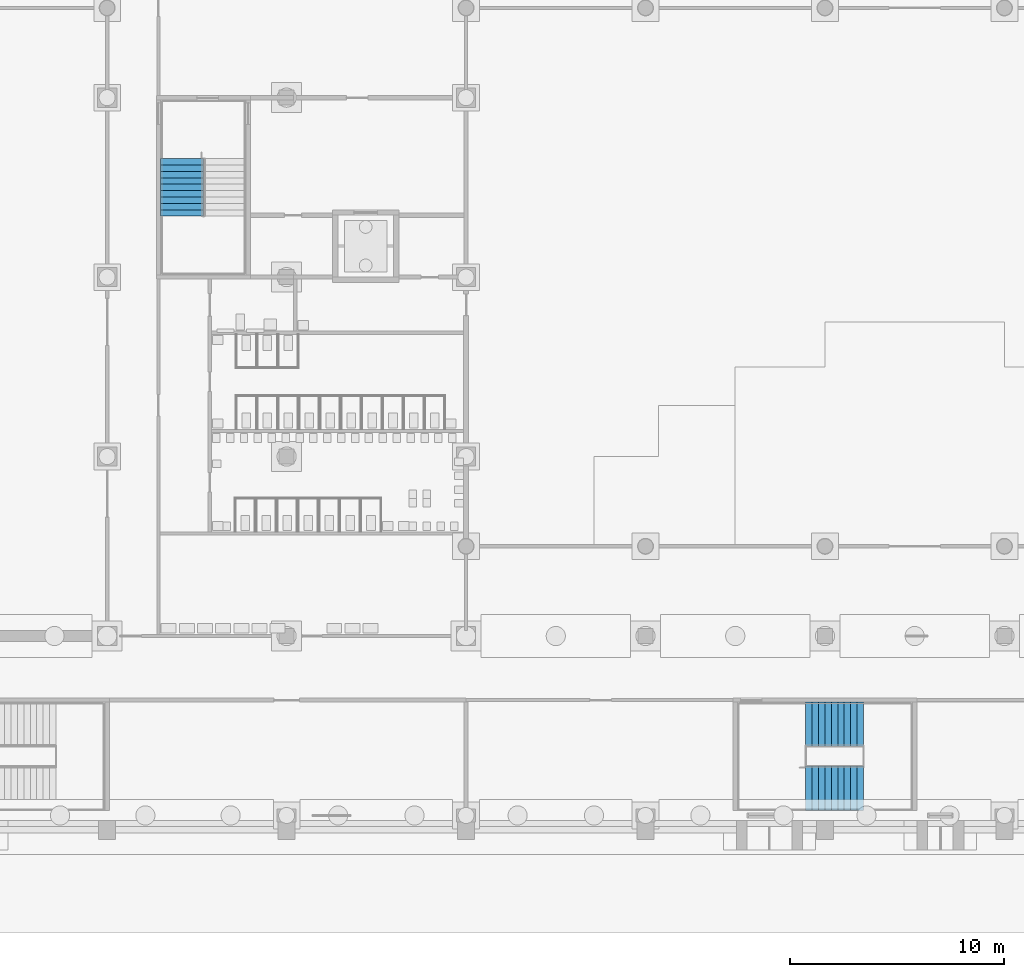
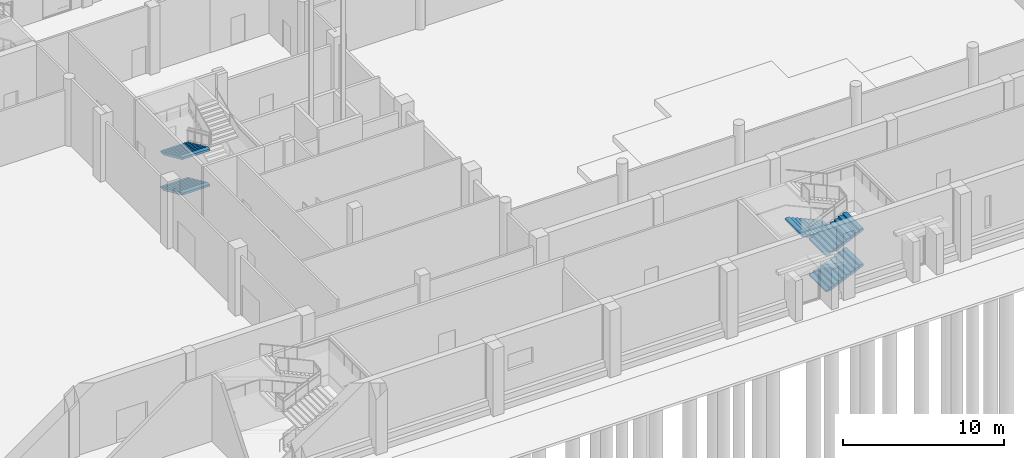
# One storey, part 50 of 74: 5 stair flights, 2 elements without a shape of their own.
"""IFC4 building model written with IfcOpenShell, lengths in metres."""

from ifc_helpers import new_model, si_unit, direction, frame, origin, place, context, subcontext, project, spatial, faceted_brep, material, type_object, element, aggregate, save


model = new_model("IFC4")

# Units and contexts
model_context = context("Model", 3, precision=1e-05, world=origin(), true_north=direction((0.0, 1.0)))
body_context = subcontext(model_context, "Body", "Model", "MODEL_VIEW")
ifc_project = project(units=[si_unit("LENGTHUNIT", "METRE"), si_unit("AREAUNIT", "SQUARE_METRE"), si_unit("VOLUMEUNIT", "CUBIC_METRE"), si_unit("PLANEANGLEUNIT", "RADIAN"), si_unit("MASSUNIT", "GRAM", prefix="KILO")], contexts=[model_context])

# Site, building, storey
site_placement = place(None, origin())
site = spatial("IfcSite", under=ifc_project, at=site_placement, CompositionType="ELEMENT")
building_placement = place(site_placement, origin())
building = spatial("IfcBuilding", under=site, at=building_placement, Name="Rulbaag Community and Learning Centre", CompositionType="ELEMENT")
storey_placement = place(building_placement, origin())
storey = spatial("IfcBuildingStorey", under=building, at=storey_placement, Name="L00", CompositionType="ELEMENT", Elevation=0.0)

# Stair, stair flights
ifc_material = material(Name="Concrete M40", Category="concrete")
stair_type_1 = type_object("IfcStairType", Name="ST-2000 STAIR 2000 WIDE", PredefinedType="HALF_TURN_STAIR", material=ifc_material)
stair_1_placement = place(storey_placement, origin())
stair_1 = element("IfcStair", 1, at=stair_1_placement, inside=storey, type_object=stair_type_1, Name="Stair ST-H1 L00", PredefinedType="HALF_TURN_STAIR")
stair_flight_type_1 = type_object("IfcStairFlightType", Name="FL-2000 FLIGHT 2000 WIDE Concrete M40", PredefinedType="STRAIGHT", material=ifc_material)
stair_flight_1_placement = place(storey_placement, frame((28.699951171875, 30.75, 0.0), z_axis=(0.0, 0.0, 1.0), x_axis=(0.0, -1.0, 0.0)))
stair_flight_1 = element("IfcStairFlight", 2, at=stair_flight_1_placement, type_object=stair_flight_type_1, Name="ST-H1 flight 1", NumberOfRisers=10, NumberOfTreads=9, PredefinedType="STRAIGHT", RiserHeight=0.135, TreadLength=0.3, context=body_context, shape_type="Brep", body=[
    faceted_brep([(0.3408203125, -1.0, 0.0), (2.699951171875, -1.0, 1.0615234375), (2.699951171875, -1.0, 1.215087890625), (2.39990234375, -1.0, 1.215087890625), (2.39990234375, -1.0, 1.080078125), (2.10009765625, -1.0, 1.080078125), (2.10009765625, -1.0, 0.945068359375), (1.800048828125, -1.0, 0.945068359375), (1.800048828125, -1.0, 0.81005859375), (1.5, -1.0, 0.81005859375), (1.5, -1.0, 0.675048828125), (1.199951171875, -1.0, 0.675048828125), (1.199951171875, -1.0, 0.5400390625), (0.89990234375, -1.0, 0.5400390625), (0.89990234375, -1.0, 0.405029296875), (0.60009765625, -1.0, 0.405029296875), (0.60009765625, -1.0, 0.27001953125), (0.300048828125, -1.0, 0.27001953125), (0.300048828125, -1.0, 0.135009765625), (0.0, -1.0, 0.135009765625), (0.0, -1.0, 0.0), (0.0, 1.0, 0.0), (0.0, 1.0, 0.135009765625), (0.300048828125, 1.0, 0.135009765625), (0.300048828125, 1.0, 0.27001953125), (0.60009765625, 1.0, 0.27001953125), (0.60009765625, 1.0, 0.405029296875), (0.89990234375, 1.0, 0.405029296875), (0.89990234375, 1.0, 0.5400390625), (1.199951171875, 1.0, 0.5400390625), (1.199951171875, 1.0, 0.675048828125), (1.5, 1.0, 0.675048828125), (1.5, 1.0, 0.81005859375), (1.800048828125, 1.0, 0.81005859375), (1.800048828125, 1.0, 0.945068359375), (2.10009765625, 1.0, 0.945068359375), (2.10009765625, 1.0, 1.080078125), (2.39990234375, 1.0, 1.080078125), (2.39990234375, 1.0, 1.215087890625), (2.699951171875, 1.0, 1.215087890625), (2.699951171875, 1.0, 1.0615234375), (0.3408203125, 1.0, 0.0), (0.0, -0.333251953125, 0.135009765625), (0.0, -0.333251953125, 0.0), (0.0, 0.333251953125, 0.135009765625), (0.0, 0.333251953125, 0.0), (0.300048828125, -0.333251953125, 0.135009765625), (0.300048828125, 0.333251953125, 0.135009765625), (0.300048828125, -0.333251953125, 0.27001953125), (0.300048828125, 0.333251953125, 0.27001953125), (0.60009765625, -0.333251953125, 0.27001953125), (0.60009765625, 0.333251953125, 0.27001953125), (0.60009765625, -0.333251953125, 0.405029296875), (0.60009765625, 0.333251953125, 0.405029296875), (0.89990234375, -0.333251953125, 0.405029296875), (0.89990234375, 0.333251953125, 0.405029296875), (0.89990234375, -0.333251953125, 0.5400390625), (0.89990234375, 0.333251953125, 0.5400390625), (1.199951171875, -0.333251953125, 0.5400390625), (1.199951171875, 0.333251953125, 0.5400390625), (1.199951171875, -0.333251953125, 0.675048828125), (1.199951171875, 0.333251953125, 0.675048828125), (1.5, -0.333251953125, 0.675048828125), (1.5, 0.333251953125, 0.675048828125), (1.5, -0.333251953125, 0.81005859375), (1.5, 0.333251953125, 0.81005859375), (1.800048828125, -0.333251953125, 0.81005859375), (1.800048828125, 0.333251953125, 0.81005859375), (1.800048828125, -0.333251953125, 0.945068359375), (1.800048828125, 0.333251953125, 0.945068359375), (2.10009765625, -0.333251953125, 0.945068359375), (2.10009765625, 0.333251953125, 0.945068359375), (2.10009765625, -0.333251953125, 1.080078125), (2.10009765625, 0.333251953125, 1.080078125), (2.39990234375, -0.333251953125, 1.080078125), (2.39990234375, 0.333251953125, 1.080078125), (2.39990234375, -0.333251953125, 1.215087890625), (2.39990234375, 0.333251953125, 1.215087890625), (2.699951171875, -0.333251953125, 1.215087890625), (2.699951171875, 0.333251953125, 1.215087890625), (2.699951171875, -0.333251953125, 1.0615234375), (2.699951171875, 0.333251953125, 1.0615234375), (0.3408203125, -0.333251953125, 0.0), (0.3408203125, 0.333251953125, 0.0)], [[[0, 1, 2, 3, 4, 5, 6, 7, 8, 9, 10, 11, 12, 13, 14, 15, 16, 17, 18, 19, 20]], [[21, 22, 23, 24, 25, 26, 27, 28, 29, 30, 31, 32, 33, 34, 35, 36, 37, 38, 39, 40, 41]], [[20, 19, 42, 43]], [[43, 42, 44, 45]], [[45, 44, 22, 21]], [[19, 18, 46, 42]], [[42, 46, 47, 44]], [[44, 47, 23, 22]], [[18, 17, 48, 46]], [[46, 48, 49, 47]], [[47, 49, 24, 23]], [[17, 16, 50, 48]], [[48, 50, 51, 49]], [[49, 51, 25, 24]], [[16, 15, 52, 50]], [[50, 52, 53, 51]], [[51, 53, 26, 25]], [[15, 14, 54, 52]], [[52, 54, 55, 53]], [[53, 55, 27, 26]], [[14, 13, 56, 54]], [[54, 56, 57, 55]], [[55, 57, 28, 27]], [[13, 12, 58, 56]], [[56, 58, 59, 57]], [[57, 59, 29, 28]], [[12, 11, 60, 58]], [[58, 60, 61, 59]], [[59, 61, 30, 29]], [[11, 10, 62, 60]], [[60, 62, 63, 61]], [[61, 63, 31, 30]], [[10, 9, 64, 62]], [[62, 64, 65, 63]], [[63, 65, 32, 31]], [[9, 8, 66, 64]], [[64, 66, 67, 65]], [[65, 67, 33, 32]], [[8, 7, 68, 66]], [[66, 68, 69, 67]], [[67, 69, 34, 33]], [[7, 6, 70, 68]], [[68, 70, 71, 69]], [[69, 71, 35, 34]], [[6, 5, 72, 70]], [[70, 72, 73, 71]], [[71, 73, 36, 35]], [[5, 4, 74, 72]], [[72, 74, 75, 73]], [[73, 75, 37, 36]], [[4, 3, 76, 74]], [[74, 76, 77, 75]], [[75, 77, 38, 37]], [[3, 2, 78, 76]], [[76, 78, 79, 77]], [[77, 79, 39, 38]], [[2, 1, 80, 78]], [[78, 80, 81, 79]], [[79, 81, 40, 39]], [[1, 0, 82, 80]], [[80, 82, 83, 81]], [[81, 83, 41, 40]], [[0, 20, 43, 82]], [[82, 43, 45, 83]], [[83, 45, 21, 41]]]),
])
stair_flight_2_placement = place(storey_placement, frame((28.699951171875, 30.75, 2.699951171875), z_axis=(0.0, 0.0, 1.0), x_axis=(0.0, -1.0, 0.0)))
stair_flight_2 = element("IfcStairFlight", 3, at=stair_flight_2_placement, type_object=stair_flight_type_1, Name="ST-H1 flight 3", NumberOfRisers=10, NumberOfTreads=9, PredefinedType="STRAIGHT", RiserHeight=0.135, TreadLength=0.3, context=body_context, shape_type="Brep", body=[
    faceted_brep([(0.3408203125, -1.0, 0.0), (2.699951171875, -1.0, 1.0615234375), (2.699951171875, -1.0, 1.215087890625), (2.39990234375, -1.0, 1.215087890625), (2.39990234375, -1.0, 1.080078125), (2.10009765625, -1.0, 1.080078125), (2.10009765625, -1.0, 0.945068359375), (1.800048828125, -1.0, 0.945068359375), (1.800048828125, -1.0, 0.81005859375), (1.5, -1.0, 0.81005859375), (1.5, -1.0, 0.675048828125), (1.199951171875, -1.0, 0.675048828125), (1.199951171875, -1.0, 0.5400390625), (0.89990234375, -1.0, 0.5400390625), (0.89990234375, -1.0, 0.405029296875), (0.60009765625, -1.0, 0.405029296875), (0.60009765625, -1.0, 0.27001953125), (0.300048828125, -1.0, 0.27001953125), (0.300048828125, -1.0, 0.135009765625), (0.0, -1.0, 0.135009765625), (0.0, -1.0, 0.0), (0.0, 1.0, 0.0), (0.0, 1.0, 0.135009765625), (0.300048828125, 1.0, 0.135009765625), (0.300048828125, 1.0, 0.27001953125), (0.60009765625, 1.0, 0.27001953125), (0.60009765625, 1.0, 0.405029296875), (0.89990234375, 1.0, 0.405029296875), (0.89990234375, 1.0, 0.5400390625), (1.199951171875, 1.0, 0.5400390625), (1.199951171875, 1.0, 0.675048828125), (1.5, 1.0, 0.675048828125), (1.5, 1.0, 0.81005859375), (1.800048828125, 1.0, 0.81005859375), (1.800048828125, 1.0, 0.945068359375), (2.10009765625, 1.0, 0.945068359375), (2.10009765625, 1.0, 1.080078125), (2.39990234375, 1.0, 1.080078125), (2.39990234375, 1.0, 1.215087890625), (2.699951171875, 1.0, 1.215087890625), (2.699951171875, 1.0, 1.0615234375), (0.3408203125, 1.0, 0.0), (0.0, -0.333251953125, 0.135009765625), (0.0, -0.333251953125, 0.0), (0.0, 0.333251953125, 0.135009765625), (0.0, 0.333251953125, 0.0), (0.300048828125, -0.333251953125, 0.135009765625), (0.300048828125, 0.333251953125, 0.135009765625), (0.300048828125, -0.333251953125, 0.27001953125), (0.300048828125, 0.333251953125, 0.27001953125), (0.60009765625, -0.333251953125, 0.27001953125), (0.60009765625, 0.333251953125, 0.27001953125), (0.60009765625, -0.333251953125, 0.405029296875), (0.60009765625, 0.333251953125, 0.405029296875), (0.89990234375, -0.333251953125, 0.405029296875), (0.89990234375, 0.333251953125, 0.405029296875), (0.89990234375, -0.333251953125, 0.5400390625), (0.89990234375, 0.333251953125, 0.5400390625), (1.199951171875, -0.333251953125, 0.5400390625), (1.199951171875, 0.333251953125, 0.5400390625), (1.199951171875, -0.333251953125, 0.675048828125), (1.199951171875, 0.333251953125, 0.675048828125), (1.5, -0.333251953125, 0.675048828125), (1.5, 0.333251953125, 0.675048828125), (1.5, -0.333251953125, 0.81005859375), (1.5, 0.333251953125, 0.81005859375), (1.800048828125, -0.333251953125, 0.81005859375), (1.800048828125, 0.333251953125, 0.81005859375), (1.800048828125, -0.333251953125, 0.945068359375), (1.800048828125, 0.333251953125, 0.945068359375), (2.10009765625, -0.333251953125, 0.945068359375), (2.10009765625, 0.333251953125, 0.945068359375), (2.10009765625, -0.333251953125, 1.080078125), (2.10009765625, 0.333251953125, 1.080078125), (2.39990234375, -0.333251953125, 1.080078125), (2.39990234375, 0.333251953125, 1.080078125), (2.39990234375, -0.333251953125, 1.215087890625), (2.39990234375, 0.333251953125, 1.215087890625), (2.699951171875, -0.333251953125, 1.215087890625), (2.699951171875, 0.333251953125, 1.215087890625), (2.699951171875, -0.333251953125, 1.0615234375), (2.699951171875, 0.333251953125, 1.0615234375), (0.3408203125, -0.333251953125, 0.0), (0.3408203125, 0.333251953125, 0.0)], [[[0, 1, 2, 3, 4, 5, 6, 7, 8, 9, 10, 11, 12, 13, 14, 15, 16, 17, 18, 19, 20]], [[21, 22, 23, 24, 25, 26, 27, 28, 29, 30, 31, 32, 33, 34, 35, 36, 37, 38, 39, 40, 41]], [[20, 19, 42, 43]], [[43, 42, 44, 45]], [[45, 44, 22, 21]], [[19, 18, 46, 42]], [[42, 46, 47, 44]], [[44, 47, 23, 22]], [[18, 17, 48, 46]], [[46, 48, 49, 47]], [[47, 49, 24, 23]], [[17, 16, 50, 48]], [[48, 50, 51, 49]], [[49, 51, 25, 24]], [[16, 15, 52, 50]], [[50, 52, 53, 51]], [[51, 53, 26, 25]], [[15, 14, 54, 52]], [[52, 54, 55, 53]], [[53, 55, 27, 26]], [[14, 13, 56, 54]], [[54, 56, 57, 55]], [[55, 57, 28, 27]], [[13, 12, 58, 56]], [[56, 58, 59, 57]], [[57, 59, 29, 28]], [[12, 11, 60, 58]], [[58, 60, 61, 59]], [[59, 61, 30, 29]], [[11, 10, 62, 60]], [[60, 62, 63, 61]], [[61, 63, 31, 30]], [[10, 9, 64, 62]], [[62, 64, 65, 63]], [[63, 65, 32, 31]], [[9, 8, 66, 64]], [[64, 66, 67, 65]], [[65, 67, 33, 32]], [[8, 7, 68, 66]], [[66, 68, 69, 67]], [[67, 69, 34, 33]], [[7, 6, 70, 68]], [[68, 70, 71, 69]], [[69, 71, 35, 34]], [[6, 5, 72, 70]], [[70, 72, 73, 71]], [[71, 73, 36, 35]], [[5, 4, 74, 72]], [[72, 74, 75, 73]], [[73, 75, 37, 36]], [[4, 3, 76, 74]], [[74, 76, 77, 75]], [[75, 77, 38, 37]], [[3, 2, 78, 76]], [[76, 78, 79, 77]], [[77, 79, 39, 38]], [[2, 1, 80, 78]], [[78, 80, 81, 79]], [[79, 81, 40, 39]], [[1, 0, 82, 80]], [[80, 82, 83, 81]], [[81, 83, 41, 40]], [[0, 20, 43, 82]], [[82, 43, 45, 83]], [[83, 45, 21, 41]]]),
])
aggregate(stair_1, [stair_flight_1, stair_flight_2])

stair_type_2 = type_object("IfcStairType", Name="ST-2100 STAIR 2100 WIDE", PredefinedType="HALF_TURN_STAIR", material=ifc_material)
stair_2_placement = place(storey_placement, origin())
stair_2 = element("IfcStair", 4, at=stair_2_placement, inside=storey, type_object=stair_type_2, Name="Stair ST-H8 L00", PredefinedType="HALF_TURN_STAIR")
stair_flight_type_2 = type_object("IfcStairFlightType", Name="FL-2100 FLIGHT 2100 WIDE Concrete M40", PredefinedType="STRAIGHT", material=ifc_material)
stair_flight_3_placement = place(storey_placement, frame((57.89990234375, 1.27490234375, 0.0), z_axis=(0.0, 0.0, 1.0), x_axis=(1.0, 0.0, 0.0)))
stair_flight_3 = element("IfcStairFlight", 5, at=stair_flight_3_placement, type_object=stair_flight_type_2, Name="ST-H8 flight 1", NumberOfRisers=10, NumberOfTreads=9, PredefinedType="STRAIGHT", RiserHeight=0.135, TreadLength=0.3, context=body_context, shape_type="Brep", body=[
    faceted_brep([(0.3408203125, -1.050048828125, 0.0), (2.699951171875, -1.050048828125, 1.0615234375), (2.699951171875, -1.050048828125, 1.215087890625), (2.39990234375, -1.050048828125, 1.215087890625), (2.39990234375, -1.050048828125, 1.080078125), (2.10009765625, -1.050048828125, 1.080078125), (2.10009765625, -1.050048828125, 0.945068359375), (1.800048828125, -1.050048828125, 0.945068359375), (1.800048828125, -1.050048828125, 0.81005859375), (1.5, -1.050048828125, 0.81005859375), (1.5, -1.050048828125, 0.675048828125), (1.199951171875, -1.050048828125, 0.675048828125), (1.199951171875, -1.050048828125, 0.5400390625), (0.89990234375, -1.050048828125, 0.5400390625), (0.89990234375, -1.050048828125, 0.405029296875), (0.60009765625, -1.050048828125, 0.405029296875), (0.60009765625, -1.050048828125, 0.27001953125), (0.300048828125, -1.050048828125, 0.27001953125), (0.300048828125, -1.050048828125, 0.135009765625), (0.0, -1.050048828125, 0.135009765625), (0.0, -1.050048828125, 0.0), (0.0, 1.050048828125, 0.0), (0.0, 1.050048828125, 0.135009765625), (0.300048828125, 1.050048828125, 0.135009765625), (0.300048828125, 1.050048828125, 0.27001953125), (0.60009765625, 1.050048828125, 0.27001953125), (0.60009765625, 1.050048828125, 0.405029296875), (0.89990234375, 1.050048828125, 0.405029296875), (0.89990234375, 1.050048828125, 0.5400390625), (1.199951171875, 1.050048828125, 0.5400390625), (1.199951171875, 1.050048828125, 0.675048828125), (1.5, 1.050048828125, 0.675048828125), (1.5, 1.050048828125, 0.81005859375), (1.800048828125, 1.050048828125, 0.81005859375), (1.800048828125, 1.050048828125, 0.945068359375), (2.10009765625, 1.050048828125, 0.945068359375), (2.10009765625, 1.050048828125, 1.080078125), (2.39990234375, 1.050048828125, 1.080078125), (2.39990234375, 1.050048828125, 1.215087890625), (2.699951171875, 1.050048828125, 1.215087890625), (2.699951171875, 1.050048828125, 1.0615234375), (0.3408203125, 1.050048828125, 0.0), (0.0, -0.52490234375, 0.135009765625), (0.0, -0.52490234375, 0.0), (0.0, 0.0, 0.135009765625), (0.0, 0.0, 0.0), (0.0, 0.52490234375, 0.135009765625), (0.0, 0.52490234375, 0.0), (0.300048828125, -0.52490234375, 0.135009765625), (0.300048828125, 0.0, 0.135009765625), (0.300048828125, 0.52490234375, 0.135009765625), (0.300048828125, -0.52490234375, 0.27001953125), (0.300048828125, 0.0, 0.27001953125), (0.300048828125, 0.52490234375, 0.27001953125), (0.60009765625, -0.52490234375, 0.27001953125), (0.60009765625, 0.0, 0.27001953125), (0.60009765625, 0.52490234375, 0.27001953125), (0.60009765625, -0.52490234375, 0.405029296875), (0.60009765625, 0.0, 0.405029296875), (0.60009765625, 0.52490234375, 0.405029296875), (0.89990234375, -0.52490234375, 0.405029296875), (0.89990234375, 0.0, 0.405029296875), (0.89990234375, 0.52490234375, 0.405029296875), (0.89990234375, -0.52490234375, 0.5400390625), (0.89990234375, 0.0, 0.5400390625), (0.89990234375, 0.52490234375, 0.5400390625), (1.199951171875, -0.52490234375, 0.5400390625), (1.199951171875, 0.0, 0.5400390625), (1.199951171875, 0.52490234375, 0.5400390625), (1.199951171875, -0.52490234375, 0.675048828125), (1.199951171875, 0.0, 0.675048828125), (1.199951171875, 0.52490234375, 0.675048828125), (1.5, -0.52490234375, 0.675048828125), (1.5, 0.0, 0.675048828125), (1.5, 0.52490234375, 0.675048828125), (1.5, -0.52490234375, 0.81005859375), (1.5, 0.0, 0.81005859375), (1.5, 0.52490234375, 0.81005859375), (1.800048828125, -0.52490234375, 0.81005859375), (1.800048828125, 0.0, 0.81005859375), (1.800048828125, 0.52490234375, 0.81005859375), (1.800048828125, -0.52490234375, 0.945068359375), (1.800048828125, 0.0, 0.945068359375), (1.800048828125, 0.52490234375, 0.945068359375), (2.10009765625, -0.52490234375, 0.945068359375), (2.10009765625, 0.0, 0.945068359375), (2.10009765625, 0.52490234375, 0.945068359375), (2.10009765625, -0.52490234375, 1.080078125), (2.10009765625, 0.0, 1.080078125), (2.10009765625, 0.52490234375, 1.080078125), (2.39990234375, -0.52490234375, 1.080078125), (2.39990234375, 0.0, 1.080078125), (2.39990234375, 0.52490234375, 1.080078125), (2.39990234375, -0.52490234375, 1.215087890625), (2.39990234375, 0.0, 1.215087890625), (2.39990234375, 0.52490234375, 1.215087890625), (2.699951171875, -0.52490234375, 1.215087890625), (2.699951171875, 0.0, 1.215087890625), (2.699951171875, 0.52490234375, 1.215087890625), (2.699951171875, -0.52490234375, 1.0615234375), (2.699951171875, 0.0, 1.0615234375), (2.699951171875, 0.52490234375, 1.0615234375), (0.3408203125, -0.52490234375, 0.0), (0.3408203125, 0.0, 0.0), (0.3408203125, 0.52490234375, 0.0)], [[[0, 1, 2, 3, 4, 5, 6, 7, 8, 9, 10, 11, 12, 13, 14, 15, 16, 17, 18, 19, 20]], [[21, 22, 23, 24, 25, 26, 27, 28, 29, 30, 31, 32, 33, 34, 35, 36, 37, 38, 39, 40, 41]], [[20, 19, 42, 43]], [[43, 42, 44, 45]], [[45, 44, 46, 47]], [[47, 46, 22, 21]], [[19, 18, 48, 42]], [[42, 48, 49, 44]], [[44, 49, 50, 46]], [[46, 50, 23, 22]], [[18, 17, 51, 48]], [[48, 51, 52, 49]], [[49, 52, 53, 50]], [[50, 53, 24, 23]], [[17, 16, 54, 51]], [[51, 54, 55, 52]], [[52, 55, 56, 53]], [[53, 56, 25, 24]], [[16, 15, 57, 54]], [[54, 57, 58, 55]], [[55, 58, 59, 56]], [[56, 59, 26, 25]], [[15, 14, 60, 57]], [[57, 60, 61, 58]], [[58, 61, 62, 59]], [[59, 62, 27, 26]], [[14, 13, 63, 60]], [[60, 63, 64, 61]], [[61, 64, 65, 62]], [[62, 65, 28, 27]], [[13, 12, 66, 63]], [[63, 66, 67, 64]], [[64, 67, 68, 65]], [[65, 68, 29, 28]], [[12, 11, 69, 66]], [[66, 69, 70, 67]], [[67, 70, 71, 68]], [[68, 71, 30, 29]], [[11, 10, 72, 69]], [[69, 72, 73, 70]], [[70, 73, 74, 71]], [[71, 74, 31, 30]], [[10, 9, 75, 72]], [[72, 75, 76, 73]], [[73, 76, 77, 74]], [[74, 77, 32, 31]], [[9, 8, 78, 75]], [[75, 78, 79, 76]], [[76, 79, 80, 77]], [[77, 80, 33, 32]], [[8, 7, 81, 78]], [[78, 81, 82, 79]], [[79, 82, 83, 80]], [[80, 83, 34, 33]], [[7, 6, 84, 81]], [[81, 84, 85, 82]], [[82, 85, 86, 83]], [[83, 86, 35, 34]], [[6, 5, 87, 84]], [[84, 87, 88, 85]], [[85, 88, 89, 86]], [[86, 89, 36, 35]], [[5, 4, 90, 87]], [[87, 90, 91, 88]], [[88, 91, 92, 89]], [[89, 92, 37, 36]], [[4, 3, 93, 90]], [[90, 93, 94, 91]], [[91, 94, 95, 92]], [[92, 95, 38, 37]], [[3, 2, 96, 93]], [[93, 96, 97, 94]], [[94, 97, 98, 95]], [[95, 98, 39, 38]], [[2, 1, 99, 96]], [[96, 99, 100, 97]], [[97, 100, 101, 98]], [[98, 101, 40, 39]], [[1, 0, 102, 99]], [[99, 102, 103, 100]], [[100, 103, 104, 101]], [[101, 104, 41, 40]], [[0, 20, 43, 102]], [[102, 43, 45, 103]], [[103, 45, 47, 104]], [[104, 47, 21, 41]]]),
])
stair_flight_4_placement = place(storey_placement, frame((60.60009765625, 4.25, 1.35009765625), z_axis=(0.0, 0.0, 1.0), x_axis=(-1.0, 0.0, 0.0)))
stair_flight_4 = element("IfcStairFlight", 6, at=stair_flight_4_placement, type_object=stair_flight_type_2, Name="ST-H8 flight 2", NumberOfRisers=10, NumberOfTreads=9, PredefinedType="STRAIGHT", RiserHeight=0.135, TreadLength=0.3, context=body_context, shape_type="Brep", body=[
    faceted_brep([(0.3408203125, -1.050048828125, 0.0), (2.699951171875, -1.050048828125, 1.0615234375), (2.699951171875, -1.050048828125, 1.215087890625), (2.39990234375, -1.050048828125, 1.215087890625), (2.39990234375, -1.050048828125, 1.080078125), (2.10009765625, -1.050048828125, 1.080078125), (2.10009765625, -1.050048828125, 0.945068359375), (1.800048828125, -1.050048828125, 0.945068359375), (1.800048828125, -1.050048828125, 0.81005859375), (1.5, -1.050048828125, 0.81005859375), (1.5, -1.050048828125, 0.675048828125), (1.199951171875, -1.050048828125, 0.675048828125), (1.199951171875, -1.050048828125, 0.5400390625), (0.89990234375, -1.050048828125, 0.5400390625), (0.89990234375, -1.050048828125, 0.405029296875), (0.60009765625, -1.050048828125, 0.405029296875), (0.60009765625, -1.050048828125, 0.27001953125), (0.300048828125, -1.050048828125, 0.27001953125), (0.300048828125, -1.050048828125, 0.135009765625), (0.0, -1.050048828125, 0.135009765625), (0.0, -1.050048828125, 0.0), (0.0, 1.050048828125, 0.0), (0.0, 1.050048828125, 0.135009765625), (0.300048828125, 1.050048828125, 0.135009765625), (0.300048828125, 1.050048828125, 0.27001953125), (0.60009765625, 1.050048828125, 0.27001953125), (0.60009765625, 1.050048828125, 0.405029296875), (0.89990234375, 1.050048828125, 0.405029296875), (0.89990234375, 1.050048828125, 0.5400390625), (1.199951171875, 1.050048828125, 0.5400390625), (1.199951171875, 1.050048828125, 0.675048828125), (1.5, 1.050048828125, 0.675048828125), (1.5, 1.050048828125, 0.81005859375), (1.800048828125, 1.050048828125, 0.81005859375), (1.800048828125, 1.050048828125, 0.945068359375), (2.10009765625, 1.050048828125, 0.945068359375), (2.10009765625, 1.050048828125, 1.080078125), (2.39990234375, 1.050048828125, 1.080078125), (2.39990234375, 1.050048828125, 1.215087890625), (2.699951171875, 1.050048828125, 1.215087890625), (2.699951171875, 1.050048828125, 1.0615234375), (0.3408203125, 1.050048828125, 0.0), (0.0, -0.52490234375, 0.135009765625), (0.0, -0.52490234375, 0.0), (0.0, 0.0, 0.135009765625), (0.0, 0.0, 0.0), (0.0, 0.52490234375, 0.135009765625), (0.0, 0.52490234375, 0.0), (0.300048828125, -0.52490234375, 0.135009765625), (0.300048828125, 0.0, 0.135009765625), (0.300048828125, 0.52490234375, 0.135009765625), (0.300048828125, -0.52490234375, 0.27001953125), (0.300048828125, 0.0, 0.27001953125), (0.300048828125, 0.52490234375, 0.27001953125), (0.60009765625, -0.52490234375, 0.27001953125), (0.60009765625, 0.0, 0.27001953125), (0.60009765625, 0.52490234375, 0.27001953125), (0.60009765625, -0.52490234375, 0.405029296875), (0.60009765625, 0.0, 0.405029296875), (0.60009765625, 0.52490234375, 0.405029296875), (0.89990234375, -0.52490234375, 0.405029296875), (0.89990234375, 0.0, 0.405029296875), (0.89990234375, 0.52490234375, 0.405029296875), (0.89990234375, -0.52490234375, 0.5400390625), (0.89990234375, 0.0, 0.5400390625), (0.89990234375, 0.52490234375, 0.5400390625), (1.199951171875, -0.52490234375, 0.5400390625), (1.199951171875, 0.0, 0.5400390625), (1.199951171875, 0.52490234375, 0.5400390625), (1.199951171875, -0.52490234375, 0.675048828125), (1.199951171875, 0.0, 0.675048828125), (1.199951171875, 0.52490234375, 0.675048828125), (1.5, -0.52490234375, 0.675048828125), (1.5, 0.0, 0.675048828125), (1.5, 0.52490234375, 0.675048828125), (1.5, -0.52490234375, 0.81005859375), (1.5, 0.0, 0.81005859375), (1.5, 0.52490234375, 0.81005859375), (1.800048828125, -0.52490234375, 0.81005859375), (1.800048828125, 0.0, 0.81005859375), (1.800048828125, 0.52490234375, 0.81005859375), (1.800048828125, -0.52490234375, 0.945068359375), (1.800048828125, 0.0, 0.945068359375), (1.800048828125, 0.52490234375, 0.945068359375), (2.10009765625, -0.52490234375, 0.945068359375), (2.10009765625, 0.0, 0.945068359375), (2.10009765625, 0.52490234375, 0.945068359375), (2.10009765625, -0.52490234375, 1.080078125), (2.10009765625, 0.0, 1.080078125), (2.10009765625, 0.52490234375, 1.080078125), (2.39990234375, -0.52490234375, 1.080078125), (2.39990234375, 0.0, 1.080078125), (2.39990234375, 0.52490234375, 1.080078125), (2.39990234375, -0.52490234375, 1.215087890625), (2.39990234375, 0.0, 1.215087890625), (2.39990234375, 0.52490234375, 1.215087890625), (2.699951171875, -0.52490234375, 1.215087890625), (2.699951171875, 0.0, 1.215087890625), (2.699951171875, 0.52490234375, 1.215087890625), (2.699951171875, -0.52490234375, 1.0615234375), (2.699951171875, 0.0, 1.0615234375), (2.699951171875, 0.52490234375, 1.0615234375), (0.3408203125, -0.52490234375, 0.0), (0.3408203125, 0.0, 0.0), (0.3408203125, 0.52490234375, 0.0)], [[[0, 1, 2, 3, 4, 5, 6, 7, 8, 9, 10, 11, 12, 13, 14, 15, 16, 17, 18, 19, 20]], [[21, 22, 23, 24, 25, 26, 27, 28, 29, 30, 31, 32, 33, 34, 35, 36, 37, 38, 39, 40, 41]], [[20, 19, 42, 43]], [[43, 42, 44, 45]], [[45, 44, 46, 47]], [[47, 46, 22, 21]], [[19, 18, 48, 42]], [[42, 48, 49, 44]], [[44, 49, 50, 46]], [[46, 50, 23, 22]], [[18, 17, 51, 48]], [[48, 51, 52, 49]], [[49, 52, 53, 50]], [[50, 53, 24, 23]], [[17, 16, 54, 51]], [[51, 54, 55, 52]], [[52, 55, 56, 53]], [[53, 56, 25, 24]], [[16, 15, 57, 54]], [[54, 57, 58, 55]], [[55, 58, 59, 56]], [[56, 59, 26, 25]], [[15, 14, 60, 57]], [[57, 60, 61, 58]], [[58, 61, 62, 59]], [[59, 62, 27, 26]], [[14, 13, 63, 60]], [[60, 63, 64, 61]], [[61, 64, 65, 62]], [[62, 65, 28, 27]], [[13, 12, 66, 63]], [[63, 66, 67, 64]], [[64, 67, 68, 65]], [[65, 68, 29, 28]], [[12, 11, 69, 66]], [[66, 69, 70, 67]], [[67, 70, 71, 68]], [[68, 71, 30, 29]], [[11, 10, 72, 69]], [[69, 72, 73, 70]], [[70, 73, 74, 71]], [[71, 74, 31, 30]], [[10, 9, 75, 72]], [[72, 75, 76, 73]], [[73, 76, 77, 74]], [[74, 77, 32, 31]], [[9, 8, 78, 75]], [[75, 78, 79, 76]], [[76, 79, 80, 77]], [[77, 80, 33, 32]], [[8, 7, 81, 78]], [[78, 81, 82, 79]], [[79, 82, 83, 80]], [[80, 83, 34, 33]], [[7, 6, 84, 81]], [[81, 84, 85, 82]], [[82, 85, 86, 83]], [[83, 86, 35, 34]], [[6, 5, 87, 84]], [[84, 87, 88, 85]], [[85, 88, 89, 86]], [[86, 89, 36, 35]], [[5, 4, 90, 87]], [[87, 90, 91, 88]], [[88, 91, 92, 89]], [[89, 92, 37, 36]], [[4, 3, 93, 90]], [[90, 93, 94, 91]], [[91, 94, 95, 92]], [[92, 95, 38, 37]], [[3, 2, 96, 93]], [[93, 96, 97, 94]], [[94, 97, 98, 95]], [[95, 98, 39, 38]], [[2, 1, 99, 96]], [[96, 99, 100, 97]], [[97, 100, 101, 98]], [[98, 101, 40, 39]], [[1, 0, 102, 99]], [[99, 102, 103, 100]], [[100, 103, 104, 101]], [[101, 104, 41, 40]], [[0, 20, 43, 102]], [[102, 43, 45, 103]], [[103, 45, 47, 104]], [[104, 47, 21, 41]]]),
])
stair_flight_5_placement = place(storey_placement, frame((57.89990234375, 1.27490234375, 2.699951171875), z_axis=(0.0, 0.0, 1.0), x_axis=(1.0, 0.0, 0.0)))
stair_flight_5 = element("IfcStairFlight", 7, at=stair_flight_5_placement, type_object=stair_flight_type_2, Name="ST-H8 flight 3", NumberOfRisers=10, NumberOfTreads=9, PredefinedType="STRAIGHT", RiserHeight=0.135, TreadLength=0.3, context=body_context, shape_type="Brep", body=[
    faceted_brep([(0.3408203125, -1.050048828125, 0.0), (2.699951171875, -1.050048828125, 1.0615234375), (2.699951171875, -1.050048828125, 1.215087890625), (2.39990234375, -1.050048828125, 1.215087890625), (2.39990234375, -1.050048828125, 1.080078125), (2.10009765625, -1.050048828125, 1.080078125), (2.10009765625, -1.050048828125, 0.945068359375), (1.800048828125, -1.050048828125, 0.945068359375), (1.800048828125, -1.050048828125, 0.81005859375), (1.5, -1.050048828125, 0.81005859375), (1.5, -1.050048828125, 0.675048828125), (1.199951171875, -1.050048828125, 0.675048828125), (1.199951171875, -1.050048828125, 0.5400390625), (0.89990234375, -1.050048828125, 0.5400390625), (0.89990234375, -1.050048828125, 0.405029296875), (0.60009765625, -1.050048828125, 0.405029296875), (0.60009765625, -1.050048828125, 0.27001953125), (0.300048828125, -1.050048828125, 0.27001953125), (0.300048828125, -1.050048828125, 0.135009765625), (0.0, -1.050048828125, 0.135009765625), (0.0, -1.050048828125, 0.0), (0.0, 1.050048828125, 0.0), (0.0, 1.050048828125, 0.135009765625), (0.300048828125, 1.050048828125, 0.135009765625), (0.300048828125, 1.050048828125, 0.27001953125), (0.60009765625, 1.050048828125, 0.27001953125), (0.60009765625, 1.050048828125, 0.405029296875), (0.89990234375, 1.050048828125, 0.405029296875), (0.89990234375, 1.050048828125, 0.5400390625), (1.199951171875, 1.050048828125, 0.5400390625), (1.199951171875, 1.050048828125, 0.675048828125), (1.5, 1.050048828125, 0.675048828125), (1.5, 1.050048828125, 0.81005859375), (1.800048828125, 1.050048828125, 0.81005859375), (1.800048828125, 1.050048828125, 0.945068359375), (2.10009765625, 1.050048828125, 0.945068359375), (2.10009765625, 1.050048828125, 1.080078125), (2.39990234375, 1.050048828125, 1.080078125), (2.39990234375, 1.050048828125, 1.215087890625), (2.699951171875, 1.050048828125, 1.215087890625), (2.699951171875, 1.050048828125, 1.0615234375), (0.3408203125, 1.050048828125, 0.0), (0.0, -0.52490234375, 0.135009765625), (0.0, -0.52490234375, 0.0), (0.0, 0.0, 0.135009765625), (0.0, 0.0, 0.0), (0.0, 0.52490234375, 0.135009765625), (0.0, 0.52490234375, 0.0), (0.300048828125, -0.52490234375, 0.135009765625), (0.300048828125, 0.0, 0.135009765625), (0.300048828125, 0.52490234375, 0.135009765625), (0.300048828125, -0.52490234375, 0.27001953125), (0.300048828125, 0.0, 0.27001953125), (0.300048828125, 0.52490234375, 0.27001953125), (0.60009765625, -0.52490234375, 0.27001953125), (0.60009765625, 0.0, 0.27001953125), (0.60009765625, 0.52490234375, 0.27001953125), (0.60009765625, -0.52490234375, 0.405029296875), (0.60009765625, 0.0, 0.405029296875), (0.60009765625, 0.52490234375, 0.405029296875), (0.89990234375, -0.52490234375, 0.405029296875), (0.89990234375, 0.0, 0.405029296875), (0.89990234375, 0.52490234375, 0.405029296875), (0.89990234375, -0.52490234375, 0.5400390625), (0.89990234375, 0.0, 0.5400390625), (0.89990234375, 0.52490234375, 0.5400390625), (1.199951171875, -0.52490234375, 0.5400390625), (1.199951171875, 0.0, 0.5400390625), (1.199951171875, 0.52490234375, 0.5400390625), (1.199951171875, -0.52490234375, 0.675048828125), (1.199951171875, 0.0, 0.675048828125), (1.199951171875, 0.52490234375, 0.675048828125), (1.5, -0.52490234375, 0.675048828125), (1.5, 0.0, 0.675048828125), (1.5, 0.52490234375, 0.675048828125), (1.5, -0.52490234375, 0.81005859375), (1.5, 0.0, 0.81005859375), (1.5, 0.52490234375, 0.81005859375), (1.800048828125, -0.52490234375, 0.81005859375), (1.800048828125, 0.0, 0.81005859375), (1.800048828125, 0.52490234375, 0.81005859375), (1.800048828125, -0.52490234375, 0.945068359375), (1.800048828125, 0.0, 0.945068359375), (1.800048828125, 0.52490234375, 0.945068359375), (2.10009765625, -0.52490234375, 0.945068359375), (2.10009765625, 0.0, 0.945068359375), (2.10009765625, 0.52490234375, 0.945068359375), (2.10009765625, -0.52490234375, 1.080078125), (2.10009765625, 0.0, 1.080078125), (2.10009765625, 0.52490234375, 1.080078125), (2.39990234375, -0.52490234375, 1.080078125), (2.39990234375, 0.0, 1.080078125), (2.39990234375, 0.52490234375, 1.080078125), (2.39990234375, -0.52490234375, 1.215087890625), (2.39990234375, 0.0, 1.215087890625), (2.39990234375, 0.52490234375, 1.215087890625), (2.699951171875, -0.52490234375, 1.215087890625), (2.699951171875, 0.0, 1.215087890625), (2.699951171875, 0.52490234375, 1.215087890625), (2.699951171875, -0.52490234375, 1.0615234375), (2.699951171875, 0.0, 1.0615234375), (2.699951171875, 0.52490234375, 1.0615234375), (0.3408203125, -0.52490234375, 0.0), (0.3408203125, 0.0, 0.0), (0.3408203125, 0.52490234375, 0.0)], [[[0, 1, 2, 3, 4, 5, 6, 7, 8, 9, 10, 11, 12, 13, 14, 15, 16, 17, 18, 19, 20]], [[21, 22, 23, 24, 25, 26, 27, 28, 29, 30, 31, 32, 33, 34, 35, 36, 37, 38, 39, 40, 41]], [[20, 19, 42, 43]], [[43, 42, 44, 45]], [[45, 44, 46, 47]], [[47, 46, 22, 21]], [[19, 18, 48, 42]], [[42, 48, 49, 44]], [[44, 49, 50, 46]], [[46, 50, 23, 22]], [[18, 17, 51, 48]], [[48, 51, 52, 49]], [[49, 52, 53, 50]], [[50, 53, 24, 23]], [[17, 16, 54, 51]], [[51, 54, 55, 52]], [[52, 55, 56, 53]], [[53, 56, 25, 24]], [[16, 15, 57, 54]], [[54, 57, 58, 55]], [[55, 58, 59, 56]], [[56, 59, 26, 25]], [[15, 14, 60, 57]], [[57, 60, 61, 58]], [[58, 61, 62, 59]], [[59, 62, 27, 26]], [[14, 13, 63, 60]], [[60, 63, 64, 61]], [[61, 64, 65, 62]], [[62, 65, 28, 27]], [[13, 12, 66, 63]], [[63, 66, 67, 64]], [[64, 67, 68, 65]], [[65, 68, 29, 28]], [[12, 11, 69, 66]], [[66, 69, 70, 67]], [[67, 70, 71, 68]], [[68, 71, 30, 29]], [[11, 10, 72, 69]], [[69, 72, 73, 70]], [[70, 73, 74, 71]], [[71, 74, 31, 30]], [[10, 9, 75, 72]], [[72, 75, 76, 73]], [[73, 76, 77, 74]], [[74, 77, 32, 31]], [[9, 8, 78, 75]], [[75, 78, 79, 76]], [[76, 79, 80, 77]], [[77, 80, 33, 32]], [[8, 7, 81, 78]], [[78, 81, 82, 79]], [[79, 82, 83, 80]], [[80, 83, 34, 33]], [[7, 6, 84, 81]], [[81, 84, 85, 82]], [[82, 85, 86, 83]], [[83, 86, 35, 34]], [[6, 5, 87, 84]], [[84, 87, 88, 85]], [[85, 88, 89, 86]], [[86, 89, 36, 35]], [[5, 4, 90, 87]], [[87, 90, 91, 88]], [[88, 91, 92, 89]], [[89, 92, 37, 36]], [[4, 3, 93, 90]], [[90, 93, 94, 91]], [[91, 94, 95, 92]], [[92, 95, 38, 37]], [[3, 2, 96, 93]], [[93, 96, 97, 94]], [[94, 97, 98, 95]], [[95, 98, 39, 38]], [[2, 1, 99, 96]], [[96, 99, 100, 97]], [[97, 100, 101, 98]], [[98, 101, 40, 39]], [[1, 0, 102, 99]], [[99, 102, 103, 100]], [[100, 103, 104, 101]], [[101, 104, 41, 40]], [[0, 20, 43, 102]], [[102, 43, 45, 103]], [[103, 45, 47, 104]], [[104, 47, 21, 41]]]),
])
aggregate(stair_2, [stair_flight_3, stair_flight_4, stair_flight_5])

save(model, "model.ifc")
